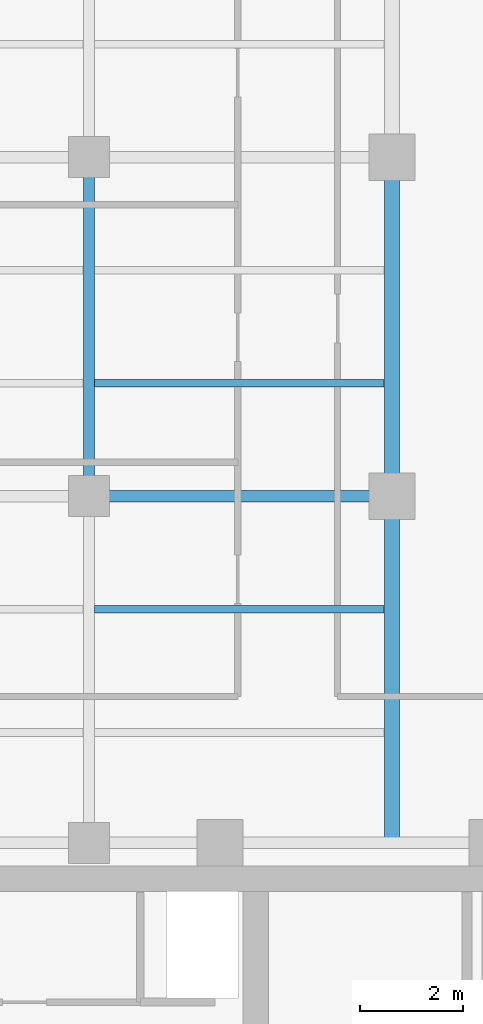
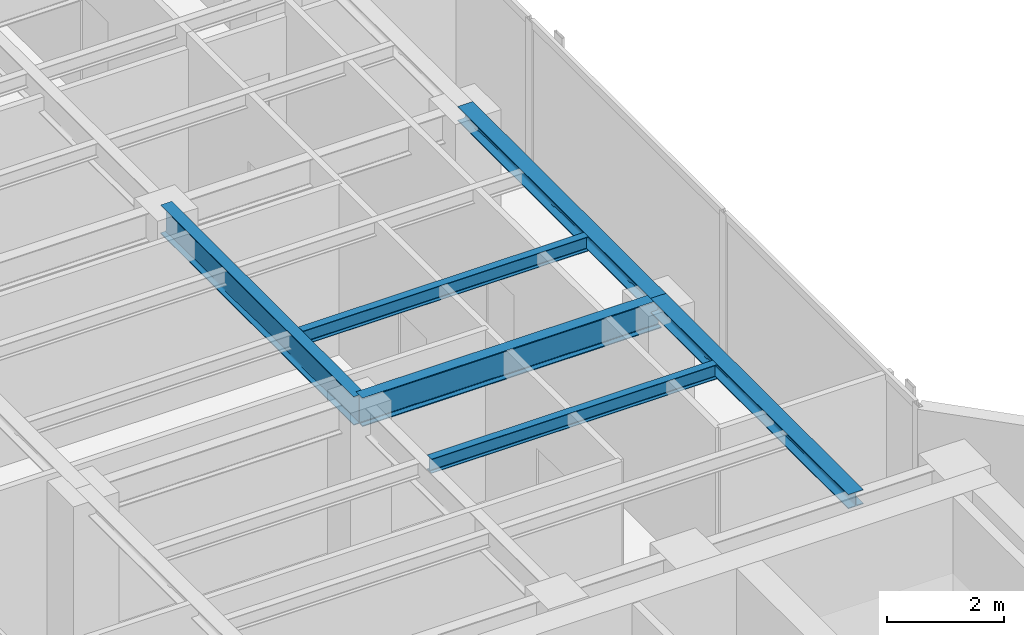
# One storey, part 9 of 22: 6 beams.
"""IFC4 building model written with IfcOpenShell, lengths in metres."""

from ifc_helpers import new_model, si_unit, direction, frame, origin, origin_2d, place, context, subcontext, project, spatial, i_section, extrude, material, material_profile, profile_set, type_object, element, save


model = new_model("IFC4")

# Units and contexts
model_context = context("Model", 3, precision=1e-05, world=origin(), true_north=direction((0.0, 1.0)))
body_context = subcontext(model_context, "Body", "Model", "MODEL_VIEW")
ifc_project = project(units=[si_unit("LENGTHUNIT", "METRE"), si_unit("AREAUNIT", "SQUARE_METRE"), si_unit("VOLUMEUNIT", "CUBIC_METRE"), si_unit("PLANEANGLEUNIT", "RADIAN"), si_unit("MASSUNIT", "GRAM", prefix="KILO")], contexts=[model_context])

# Site, building, storey
site_placement = place(None, origin())
site = spatial("IfcSite", under=ifc_project, at=site_placement, CompositionType="ELEMENT")
building_placement = place(site_placement, origin())
building = spatial("IfcBuilding", under=site, at=building_placement, Name="Kolvaren Waterfront Exchange", CompositionType="ELEMENT")
storey_placement = place(building_placement, frame((0.0, 0.0, 308.39990234375)))
storey = spatial("IfcBuildingStorey", under=building, at=storey_placement, Name="L79", CompositionType="ELEMENT", Elevation=308.39990234375)

# Beams
ifc_material = material(Name="Steel S355", Category="steel")
ifc_material_profile_1 = material_profile(ifc_material, i_section(OverallWidth=0.300048828125, OverallDepth=0.300048828125, WebThickness=0.010986328125, FlangeThickness=0.01904296875, FilletRadius=0.027099609375, at=origin_2d()), Name="HEB300")
ifc_profile_set_1 = profile_set([ifc_material_profile_1], Name="Steel S355")
beam_type_1 = type_object("IfcBeamType", Name="STR-BM-HEB300", PredefinedType="SPANDREL", material=ifc_profile_set_1)
beam_1_placement = place(storey_placement, frame((18.800048828125, 24.449951171875, 3.41015625), z_axis=(0.0, 1.0, 0.0), x_axis=(-1.0, 0.0, 0.0)))
element("IfcBeam", 1, at=beam_1_placement, inside=storey, type_object=beam_type_1, Name="L79 north-arm edge beam 1", PredefinedType="SPANDREL", context=body_context, shape_type="SweptSolid", body=[
    extrude(i_section(OverallWidth=0.300048828125, OverallDepth=0.300048828125, WebThickness=0.010986328125, FlangeThickness=0.01904296875, FilletRadius=0.027099609375, at=origin_2d()), origin(), (0.0, 0.0, 1.0), 6.75),
])
beam_2_placement = place(storey_placement, frame((18.800048828125, 31.199951171875, 3.41015625), z_axis=(0.0, 1.0, 0.0), x_axis=(-1.0, 0.0, 0.0)))
element("IfcBeam", 2, at=beam_2_placement, inside=storey, type_object=beam_type_1, Name="L79 north-arm edge beam 2", PredefinedType="SPANDREL", context=body_context, shape_type="SweptSolid", body=[
    extrude(i_section(OverallWidth=0.300048828125, OverallDepth=0.300048828125, WebThickness=0.010986328125, FlangeThickness=0.01904296875, FilletRadius=0.027099609375, at=origin_2d()), origin(), (0.0, 0.0, 1.0), 6.60009765625),
])
ifc_material_profile_2 = material_profile(ifc_material, i_section(OverallWidth=0.14990234375, OverallDepth=0.300048828125, WebThickness=0.007080078125, FlangeThickness=0.0107421875, FilletRadius=0.014892578125, at=origin_2d()), Name="IPE300")
ifc_profile_set_2 = profile_set([ifc_material_profile_2], Name="Steel S355")
beam_type_2 = type_object("IfcBeamType", Name="STR-BM-IPE300", PredefinedType="JOIST", material=ifc_profile_set_2)
for number, where, z_axis, x_axis, name in (
    (3, (13.011962890625, 29.0, 3.41015625), (1.0, 0.0, 0.0), (0.0, 1.0, 0.0), "L79 north-arm composite joist 2B"),
    (4, (13.011962890625, 33.39990234375, 3.41015625), (1.0, 0.0, 0.0), (0.0, 1.0, 0.0), "L79 north-arm composite joist 3B"),
):
    element("IfcBeam", number, at=place(storey_placement, frame(where, z_axis=z_axis, x_axis=x_axis)), inside=storey, type_object=beam_type_2, Name=name, PredefinedType="JOIST", context=body_context, shape_type="SweptSolid", body=[
        extrude(i_section(OverallWidth=0.14990234375, OverallDepth=0.300048828125, WebThickness=0.007080078125, FlangeThickness=0.0107421875, FilletRadius=0.014892578125, at=origin_2d()), origin(), (0.0, 0.0, 1.0), 5.635986328125),
    ])
ifc_material_profile_3 = material_profile(ifc_material, i_section(OverallWidth=0.219970703125, OverallDepth=0.60009765625, WebThickness=0.011962890625, FlangeThickness=0.01904296875, FilletRadius=0.02392578125, at=origin_2d()), Name="IPE600")
ifc_profile_set_3 = profile_set([ifc_material_profile_3], Name="Steel S355")
beam_type_3 = type_object("IfcBeamType", Name="STR-BM-IPE600", PredefinedType="BEAM", material=ifc_profile_set_3)
beam_3_placement = place(storey_placement, frame((12.89990234375, 31.199951171875, 3.260009765625), z_axis=(1.0, 0.0, 0.0), x_axis=(0.0, 1.0, 0.0)))
element("IfcBeam", 5, at=beam_3_placement, inside=storey, type_object=beam_type_3, Name="L79 north-arm girder 2B", PredefinedType="BEAM", context=body_context, shape_type="SweptSolid", body=[
    extrude(i_section(OverallWidth=0.219970703125, OverallDepth=0.60009765625, WebThickness=0.011962890625, FlangeThickness=0.01904296875, FilletRadius=0.02392578125, at=origin_2d()), origin(), (0.0, 0.0, 1.0), 5.900146484375),
])
beam_4_placement = place(storey_placement, frame((12.89990234375, 31.199951171875, 3.260009765625), z_axis=(0.0, 1.0, 0.0), x_axis=(-1.0, 0.0, 0.0)))
element("IfcBeam", 6, at=beam_4_placement, inside=storey, type_object=beam_type_3, Name="L79 north-arm edge beam 2", PredefinedType="BEAM", context=body_context, shape_type="SweptSolid", body=[
    extrude(i_section(OverallWidth=0.219970703125, OverallDepth=0.60009765625, WebThickness=0.011962890625, FlangeThickness=0.01904296875, FilletRadius=0.02392578125, at=origin_2d()), origin(), (0.0, 0.0, 1.0), 6.60009765625),
])

save(model, "model.ifc")
